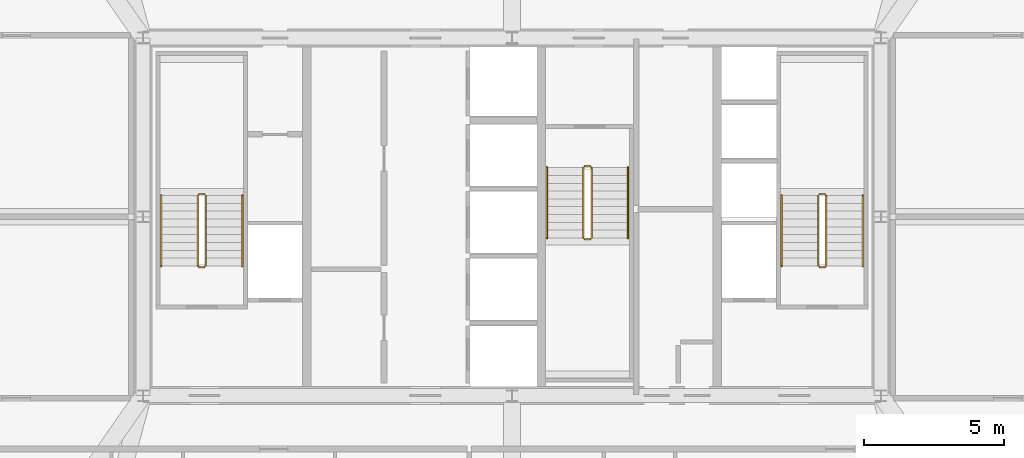
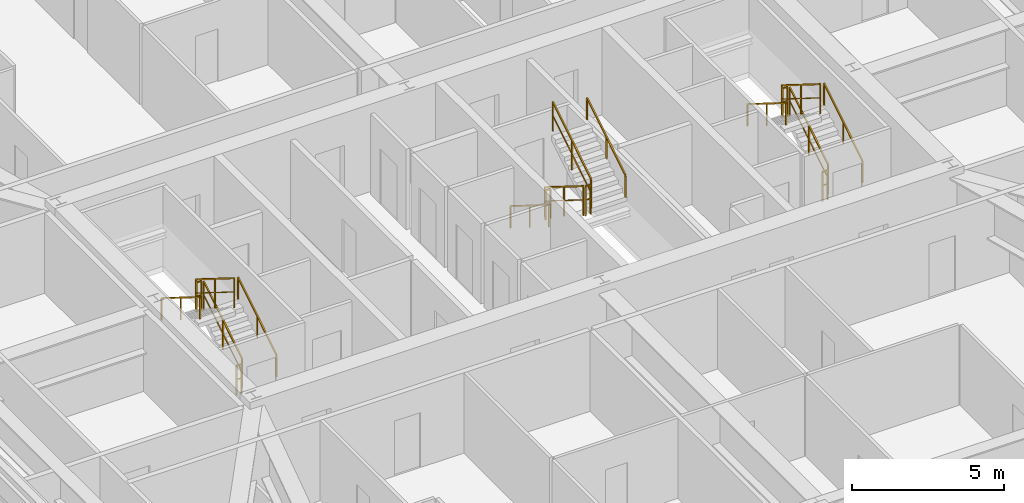
# One storey, part 39 of 39: 18 railings.
"""IFC4 building model written with IfcOpenShell, lengths in metres."""

import ifcopenshell
import ifcopenshell.guid

model = None  # the IFC model being written
_history = None  # IfcOwnerHistory: only IFC2X3 demands one
_inside = {}  # id of a spatial element -> (the spatial element, [elements in it])
_under = {}  # id of a project, library or spatial element -> (it, [spatial elements below it])
_declared = {}  # id of a project -> (the project, [libraries it declares])
_typed = {}  # id of a type object -> (the type object, [elements of that type])
_made_of = {}  # id of a material, layer set ... -> (it, [elements and type objects made of it])


def new_model(schema):
    """Start an empty IFC model of exactly this schema.

    Asked for "IFC4X3", IfcOpenShell would pick the latest addendum, in which some entities
    have other attributes; the version numbers below select the first issue.
    IFC2X3 requires an IfcOwnerHistory on every rooted entity: one is made here for all.
    """
    global model, _history
    if schema == "IFC4X3":
        model = ifcopenshell.file(schema_version=(4, 3, 0, 0))
    else:
        model = ifcopenshell.file(schema=schema)
    _inside.clear()
    _under.clear()
    _declared.clear()
    _typed.clear()
    _made_of.clear()
    _history = None
    if model.schema == "IFC2X3":
        org = make("IfcOrganization", Name="unknown")
        user = make(
            "IfcPersonAndOrganization",
            ThePerson=make("IfcPerson", FamilyName="unknown"),
            TheOrganization=org,
        )
        app = make(
            "IfcApplication",
            ApplicationDeveloper=org,
            Version="unknown",
            ApplicationFullName="unknown",
            ApplicationIdentifier="unknown",
        )
        _history = make(
            "IfcOwnerHistory",
            OwningUser=user,
            OwningApplication=app,
            ChangeAction="ADDED",
            CreationDate=0,
        )
    return model


def make(cls, **values):
    """One entity of the class cls with the attributes given. An attribute that is None is left unset."""
    return model.create_entity(
        cls, **{name: value for name, value in values.items() if value is not None}
    )


def rooted(cls, **values):
    """An entity with a GlobalId (a new one), such as an element, a storey or a relation."""
    return make(cls, GlobalId=ifcopenshell.guid.new(), OwnerHistory=_history, **values)


def si_unit(unit_type, name, prefix=None):
    """IfcSIUnit, for example si_unit("LENGTHUNIT", "METRE", prefix="MILLI")."""
    return make("IfcSIUnit", UnitType=unit_type, Prefix=prefix, Name=name)


def assignment(units):
    """IfcUnitAssignment: the units of a project."""
    return None if units is None else make("IfcUnitAssignment", Units=units)


def point(xyz):
    """IfcCartesianPoint."""
    return None if xyz is None else make("IfcCartesianPoint", Coordinates=xyz)


def direction(xyz):
    """IfcDirection."""
    return None if xyz is None else make("IfcDirection", DirectionRatios=xyz)


def frame(location, z_axis=None, x_axis=None):
    """IfcAxis2Placement3D, a coordinate frame: its origin and axes. An axis left out is left unset."""
    return make(
        "IfcAxis2Placement3D",
        Location=point(location),
        Axis=direction(z_axis),
        RefDirection=direction(x_axis),
    )


def frame_2d(location, x_axis=None):
    """IfcAxis2Placement2D, a coordinate frame in the plane: its origin and x axis."""
    return make(
        "IfcAxis2Placement2D", Location=point(location), RefDirection=direction(x_axis)
    )


def origin():
    """The frame at (0, 0, 0) with its axes left unset."""
    return frame((0.0, 0.0, 0.0))


def origin_2d():
    """The frame at (0, 0) in the plane with its x axis left unset."""
    return frame_2d((0.0, 0.0))


def place(relative_to, where):
    """IfcLocalPlacement: puts the frame where relative to a parent placement (None: the world)."""
    return make(
        "IfcLocalPlacement", PlacementRelTo=relative_to, RelativePlacement=where
    )


def context(
    kind, dimensions, precision=None, world=None, true_north=None, identifier=None
):
    """IfcGeometricRepresentationContext, for example the 3D "Model" context."""
    return make(
        "IfcGeometricRepresentationContext",
        ContextIdentifier=identifier,
        ContextType=kind,
        CoordinateSpaceDimension=dimensions,
        Precision=precision,
        WorldCoordinateSystem=world,
        TrueNorth=true_north,
    )


def subcontext(parent, identifier, kind, view, scale=None):
    """IfcGeometricRepresentationSubContext, for example "Body" below "Model"."""
    return make(
        "IfcGeometricRepresentationSubContext",
        ContextIdentifier=identifier,
        ContextType=kind,
        ParentContext=parent,
        TargetScale=scale,
        TargetView=view,
    )


def project(units=None, contexts=None):
    """IfcProject with its units and contexts."""
    return rooted(
        "IfcProject",
        Name="project",
        RepresentationContexts=contexts,
        UnitsInContext=assignment(units),
    )


def spatial(cls, under=None, at=None, **own):
    """A site, building, storey or space (cls), placed at a placement, below another one or the project."""
    s = rooted(cls, ObjectPlacement=at, **own)
    if under is not None:
        _under.setdefault(under.id(), (under, []))[1].append(s)
    return s


def profile(cls, at=None, kind="AREA", **sizes):
    """A parametric profile (cls). Its sizes go by their IFC names, for example OverallWidth=200.0."""
    return make(cls, ProfileType=kind, Position=at, **sizes)


def rectangle(**sizes):
    """IfcRectangleProfileDef."""
    return profile("IfcRectangleProfileDef", **sizes)


def extrude(swept, where, along, depth):
    """IfcExtrudedAreaSolid: the profile swept, set in the frame where, extruded along a direction by depth."""
    return make(
        "IfcExtrudedAreaSolid",
        SweptArea=swept,
        Position=where,
        ExtrudedDirection=direction(along),
        Depth=depth,
    )


def shape(context_of_items, identifier, shape_type, items):
    """IfcShapeRepresentation: the items that make up one representation, for example the "Body"."""
    return make(
        "IfcShapeRepresentation",
        ContextOfItems=context_of_items,
        RepresentationIdentifier=identifier,
        RepresentationType=shape_type,
        Items=items,
    )


def source(mapping_origin, context_of_items, identifier, shape_type, items):
    """IfcRepresentationMap: a shape defined once, which mapped items show again and again."""
    return make(
        "IfcRepresentationMap",
        MappingOrigin=mapping_origin,
        MappedRepresentation=shape(context_of_items, identifier, shape_type, items),
    )


def transform(
    local_origin,
    x_axis=None,
    y_axis=None,
    z_axis=None,
    scale=None,
    scale2=None,
    scale3=None,
    uniform=True,
):
    """IfcCartesianTransformationOperator3D, or its non-uniform kind. x_axis, y_axis, z_axis: its Axis1, 2, 3."""
    if uniform:
        return make(
            "IfcCartesianTransformationOperator3D",
            Axis1=direction(x_axis),
            Axis2=direction(y_axis),
            LocalOrigin=point(local_origin),
            Scale=scale,
            Axis3=direction(z_axis),
        )
    return make(
        "IfcCartesianTransformationOperator3DnonUniform",
        Axis1=direction(x_axis),
        Axis2=direction(y_axis),
        LocalOrigin=point(local_origin),
        Scale=scale,
        Axis3=direction(z_axis),
        Scale2=scale2,
        Scale3=scale3,
    )


def mapped(mapping_source, mapping_target):
    """IfcMappedItem: shows the shape of a source again, moved by a transform."""
    return make(
        "IfcMappedItem", MappingSource=mapping_source, MappingTarget=mapping_target
    )


def material(Name=None, Category=None):
    """IfcMaterial."""
    return make("IfcMaterial", Name=Name, Category=Category)


def layer(
    of_material, thickness, ventilated=None, Name=None, Category=None, Priority=None
):
    """IfcMaterialLayer: one layer of a wall or slab, of a material (None: an air gap)."""
    return make(
        "IfcMaterialLayer",
        Material=of_material,
        LayerThickness=thickness,
        IsVentilated=ventilated,
        Name=Name,
        Category=Category,
        Priority=Priority,
    )


def layer_set(layers, Name=None):
    """IfcMaterialLayerSet."""
    return make("IfcMaterialLayerSet", MaterialLayers=layers, LayerSetName=Name)


def made_of(thing, what):
    """Note that an element or type object is made of a material, layer set ...; save() writes the relation."""
    if what is not None:
        _made_of.setdefault(what.id(), (what, []))[1].append(thing)
    return thing


def type_object(cls, material=None, **own):
    """A type object (cls), such as IfcWallType, which elements share."""
    return made_of(rooted(cls, **own), material)


def element(
    cls,
    number,
    at=None,
    inside=None,
    cuts=None,
    type_object=None,
    material=None,
    context=None,
    identifier="Body",
    shape_type=None,
    held_by="IfcProductDefinitionShape",
    body=None,
    shapes=None,
    **own,
):
    """One element of the class cls, such as IfcWall. Its Tag is "e" and its number.

    at: its placement. inside: the storey or other place that contains it. cuts: it is an
    opening in that element (IfcRelVoidsElement). A single representation is given by context,
    identifier, shape_type and body (its items); several are given by shapes. held_by: the class
    of the entity that holds the representations. save() writes the other relations.
    """
    e = rooted(cls, Tag="e%d" % number, ObjectPlacement=at, **own)
    if body is not None:
        shapes = [shape(context, identifier, shape_type, body)]
    if shapes is not None:
        e.Representation = make(held_by, Representations=shapes)
    if inside is not None:
        _inside.setdefault(inside.id(), (inside, []))[1].append(e)
    if cuts is not None:
        rooted(
            "IfcRelVoidsElement", RelatingBuildingElement=cuts, RelatedOpeningElement=e
        )
    if type_object is not None:
        _typed.setdefault(type_object.id(), (type_object, []))[1].append(e)
    return made_of(e, material)


def aggregate(whole, parts):
    """IfcRelAggregates: a whole, such as a stair, and the parts it consists of."""
    return rooted("IfcRelAggregates", RelatingObject=whole, RelatedObjects=parts)


def save(model, path):
    """Write the relations noted so far, then the file.

    IfcRelAggregates (storeys below a building ...), IfcRelContainedInSpatialStructure (elements
    in a storey), IfcRelDefinesByType, IfcRelAssociatesMaterial and IfcRelDeclares: one each for
    every whole, place, type object, material and project.
    """
    for whole, parts in _under.values():
        aggregate(whole, parts)
    for where, things in _inside.values():
        rooted(
            "IfcRelContainedInSpatialStructure",
            RelatedElements=things,
            RelatingStructure=where,
        )
    for kind, things in _typed.values():
        rooted("IfcRelDefinesByType", RelatedObjects=things, RelatingType=kind)
    for what, things in _made_of.values():
        rooted("IfcRelAssociatesMaterial", RelatedObjects=things, RelatingMaterial=what)
    for by, libraries in _declared.values():
        rooted("IfcRelDeclares", RelatingContext=by, RelatedDefinitions=libraries)
    model.write(path)


model = new_model("IFC4")

# Units and contexts
model_context = context("Model", 3, precision=1e-05, world=origin(), true_north=direction((0.0, 1.0)))
body_context = subcontext(model_context, "Body", "Model", "MODEL_VIEW")
ifc_project = project(units=[si_unit("LENGTHUNIT", "METRE"), si_unit("AREAUNIT", "SQUARE_METRE"), si_unit("VOLUMEUNIT", "CUBIC_METRE"), si_unit("PLANEANGLEUNIT", "RADIAN"), si_unit("MASSUNIT", "GRAM", prefix="KILO"), si_unit("THERMODYNAMICTEMPERATUREUNIT", "KELVIN"), si_unit("POWERUNIT", "WATT")], contexts=[model_context])

# Site, building, storey
site_placement = place(None, origin())
site = spatial("IfcSite", under=ifc_project, at=site_placement, CompositionType="ELEMENT")
building_placement = place(site_placement, origin())
building = spatial("IfcBuilding", under=site, at=building_placement, Name="Yuzanri Waterfront Tower", CompositionType="ELEMENT")
storey_placement = place(building_placement, frame((0.0, 0.0, 216.0)))
storey = spatial("IfcBuildingStorey", under=building, at=storey_placement, Name="L57", CompositionType="ELEMENT", Elevation=216.0)

# Railings
ifc_material_1 = material(Name="Painted Galvanized Fire Steel", Category="steel")
ifc_layer_1 = layer(ifc_material_1, 0.06005859375)
ifc_layer_set_1 = layer_set([ifc_layer_1], Name="Painted Galvanized Fire Steel")
railing_type_1 = type_object("IfcRailingType", Name="Painted Steel Stairwell Guardrail 1120", PredefinedType="GUARDRAIL", material=ifc_layer_set_1)
shared_shape_1 = source(origin(), body_context, "Body", "SweptSolid", [
    extrude(rectangle(XDim=0.050048828125, YDim=0.050048828125, at=origin_2d()), frame((0.0, 0.0, 1.1748046875), z_axis=(-1.0, 0.0, 0.0), x_axis=(0.0, -1.0, 0.0)), (0.0, 0.0, 1.0), 0.199951171875),
    extrude(rectangle(XDim=0.035888671875, YDim=0.030029296875, at=origin_2d()), frame((0.0, 0.0, 0.6240234375), z_axis=(-1.0, 0.0, 0.0), x_axis=(0.0, -1.0, 0.0)), (0.0, 0.0, 1.0), 0.199951171875),
    extrude(rectangle(XDim=0.0458984375, YDim=0.0458984375, at=origin_2d()), origin(), (0.0, 0.0, 1.0), 1.14990234375),
    extrude(rectangle(XDim=0.0458984375, YDim=0.0458984375, at=origin_2d()), frame((-0.199951171875, 0.0, 0.0)), (0.0, 0.0, 1.0), 1.14990234375),
])
for number, where, name in (
    (1, (26.0, 26.610107421875, 1.75), "L57 ST-01 stair guard 2"),
    (2, (26.0, 23.989990234375, 0.0), "L57 ST-01 stair guard 4"),
    (3, (48.199951171875, 26.610107421875, 1.75), "L57 ST-02 stair guard 2"),
    (4, (48.199951171875, 23.989990234375, 0.0), "L57 ST-02 stair guard 4"),
):
    element("IfcRailing", number, at=place(storey_placement, frame(where)), inside=storey, type_object=railing_type_1, Name=name, PredefinedType="GUARDRAIL", context=body_context, shape_type="MappedRepresentation", body=[
        mapped(shared_shape_1, transform((0.0, 0.0, 0.0), scale=1.0)),
    ])
shared_shape_2 = source(origin(), body_context, "Body", "SweptSolid", [
    extrude(rectangle(XDim=0.050048828125, YDim=0.050048828125, at=origin_2d()), frame((0.0, 0.0, 1.1748046875), z_axis=(0.0, 0.848007534815, 0.529984170421), x_axis=(-1.0, 0.0, 0.0)), (0.0, 0.0, 1.0), 2.9716796875),
    extrude(rectangle(XDim=0.035888671875, YDim=0.030029296875, at=origin_2d()), frame((0.0, 0.0, 0.6240234375), z_axis=(0.0, 0.848007534815, 0.529984170421), x_axis=(-1.0, 0.0, 0.0)), (0.0, 0.0, 1.0), 2.9716796875),
    extrude(rectangle(XDim=0.0458984375, YDim=0.0458984375, at=origin_2d()), origin(), (0.0, 0.0, 1.0), 1.14990234375),
    extrude(rectangle(XDim=0.0458984375, YDim=0.0458984375, at=origin_2d()), frame((0.0, 1.260009765625, 0.78759765625)), (0.0, 0.0, 1.0), 1.14990234375),
    extrude(rectangle(XDim=0.0458984375, YDim=0.0458984375, at=origin_2d()), frame((0.0, 2.52001953125, 1.574951171875)), (0.0, 0.0, 1.0), 1.14990234375),
])
for number, where, name in (
    (5, (26.050048828125, 24.0400390625, 0.175048828125), "L57 ST-01 stair guard 1"),
    (6, (48.25, 24.0400390625, 0.175048828125), "L57 ST-02 stair guard 1"),
    (7, (39.85009765625, 25.0400390625, 1.925048828125), "L57 ST-03 stair guard 3"),
):
    element("IfcRailing", number, at=place(storey_placement, frame(where)), inside=storey, type_object=railing_type_1, Name=name, PredefinedType="GUARDRAIL", context=body_context, shape_type="MappedRepresentation", body=[
        mapped(shared_shape_2, transform((0.0, 0.0, 0.0), scale=1.0)),
    ])
shared_shape_3 = source(origin(), body_context, "Body", "SweptSolid", [
    extrude(rectangle(XDim=0.050048828125, YDim=0.050048828125, at=origin_2d()), frame((0.0, 0.0, 1.1748046875), z_axis=(0.0, -0.848007534815, 0.529984170421), x_axis=(1.0, 0.0, 0.0)), (0.0, 0.0, 1.0), 2.9716796875),
    extrude(rectangle(XDim=0.035888671875, YDim=0.030029296875, at=origin_2d()), frame((0.0, 0.0, 0.6240234375), z_axis=(0.0, -0.848007534815, 0.529984170421), x_axis=(1.0, 0.0, 0.0)), (0.0, 0.0, 1.0), 2.9716796875),
    extrude(rectangle(XDim=0.0458984375, YDim=0.0458984375, at=origin_2d()), origin(), (0.0, 0.0, 1.0), 1.14990234375),
    extrude(rectangle(XDim=0.0458984375, YDim=0.0458984375, at=origin_2d()), frame((0.0, -1.260009765625, 0.78759765625)), (0.0, 0.0, 1.0), 1.14990234375),
    extrude(rectangle(XDim=0.0458984375, YDim=0.0458984375, at=origin_2d()), frame((0.0, -2.52001953125, 1.574951171875)), (0.0, 0.0, 1.0), 1.14990234375),
])
for number, where, name in (
    (8, (25.75, 26.56005859375, 1.925048828125), "L57 ST-01 stair guard 3"),
    (9, (47.949951171875, 26.56005859375, 1.925048828125), "L57 ST-02 stair guard 3"),
    (10, (39.550048828125, 27.56005859375, 0.175048828125), "L57 ST-03 stair guard 1"),
):
    element("IfcRailing", number, at=place(storey_placement, frame(where)), inside=storey, type_object=railing_type_1, Name=name, PredefinedType="GUARDRAIL", context=body_context, shape_type="MappedRepresentation", body=[
        mapped(shared_shape_3, transform((0.0, 0.0, 0.0), scale=1.0)),
    ])
ifc_material_2 = material(Name="Anodized Architectural Bronze", Category="metal")
ifc_layer_2 = layer(ifc_material_2, 0.050048828125)
ifc_layer_set_2 = layer_set([ifc_layer_2], Name="Anodized Architectural Bronze")
railing_type_2 = type_object("IfcRailingType", Name="Brushed Bronze Stair Pitch Handrail 920", PredefinedType="HANDRAIL", material=ifc_layer_set_2)
shared_shape_4 = source(origin(), body_context, "Body", "SweptSolid", [
    extrude(rectangle(XDim=0.050048828125, YDim=0.050048828125, at=origin_2d()), frame((0.0, 0.0, 0.875), z_axis=(0.0, 0.848007534815, 0.529984170421), x_axis=(-1.0, 0.0, 0.0)), (0.0, 0.0, 1.0), 2.9716796875),
    extrude(rectangle(XDim=0.0458984375, YDim=0.0458984375, at=origin_2d()), origin(), (0.0, 0.0, 1.0), 0.849853515625),
    extrude(rectangle(XDim=0.0458984375, YDim=0.0458984375, at=origin_2d()), frame((0.0, 1.260009765625, 0.78759765625)), (0.0, 0.0, 1.0), 0.849853515625),
    extrude(rectangle(XDim=0.0458984375, YDim=0.0458984375, at=origin_2d()), frame((0.0, 2.52001953125, 1.574951171875)), (0.0, 0.0, 1.0), 0.849853515625),
])
for number, where, name in (
    (11, (27.35009765625, 24.0400390625, 0.175048828125), "L57 ST-01 stair handrail 1"),
    (12, (49.550048828125, 24.0400390625, 0.175048828125), "L57 ST-02 stair handrail 1"),
    (13, (41.14990234375, 25.0400390625, 1.925048828125), "L57 ST-03 stair handrail 2"),
):
    element("IfcRailing", number, at=place(storey_placement, frame(where)), inside=storey, type_object=railing_type_2, Name=name, PredefinedType="HANDRAIL", context=body_context, shape_type="MappedRepresentation", body=[
        mapped(shared_shape_4, transform((0.0, 0.0, 0.0), scale=1.0)),
    ])
shared_shape_5 = source(origin(), body_context, "Body", "SweptSolid", [
    extrude(rectangle(XDim=0.050048828125, YDim=0.050048828125, at=origin_2d()), frame((0.0, 0.0, 0.875), z_axis=(0.0, -0.848007534815, 0.529984170421), x_axis=(1.0, 0.0, 0.0)), (0.0, 0.0, 1.0), 2.9716796875),
    extrude(rectangle(XDim=0.0458984375, YDim=0.0458984375, at=origin_2d()), origin(), (0.0, 0.0, 1.0), 0.849853515625),
    extrude(rectangle(XDim=0.0458984375, YDim=0.0458984375, at=origin_2d()), frame((0.0, -1.260009765625, 0.78759765625)), (0.0, 0.0, 1.0), 0.849853515625),
    extrude(rectangle(XDim=0.0458984375, YDim=0.0458984375, at=origin_2d()), frame((0.0, -2.52001953125, 1.574951171875)), (0.0, 0.0, 1.0), 0.849853515625),
])
for number, where, name in (
    (14, (24.449951171875, 26.56005859375, 1.925048828125), "L57 ST-01 stair handrail 2"),
    (15, (46.64990234375, 26.56005859375, 1.925048828125), "L57 ST-02 stair handrail 2"),
    (16, (38.25, 27.56005859375, 0.175048828125), "L57 ST-03 stair handrail 1"),
):
    element("IfcRailing", number, at=place(storey_placement, frame(where)), inside=storey, type_object=railing_type_2, Name=name, PredefinedType="HANDRAIL", context=body_context, shape_type="MappedRepresentation", body=[
        mapped(shared_shape_5, transform((0.0, 0.0, 0.0), scale=1.0)),
    ])
shared_shape_6 = source(origin(), body_context, "Body", "SweptSolid", [
    extrude(rectangle(XDim=0.050048828125, YDim=0.050048828125, at=origin_2d()), frame((0.0, 0.0, 1.1748046875), z_axis=(1.0, 0.0, 0.0), x_axis=(0.0, 1.0, 0.0)), (0.0, 0.0, 1.0), 0.199951171875),
    extrude(rectangle(XDim=0.035888671875, YDim=0.030029296875, at=origin_2d()), frame((0.0, 0.0, 0.6240234375), z_axis=(1.0, 0.0, 0.0), x_axis=(0.0, 1.0, 0.0)), (0.0, 0.0, 1.0), 0.199951171875),
    extrude(rectangle(XDim=0.0458984375, YDim=0.0458984375, at=origin_2d()), origin(), (0.0, 0.0, 1.0), 1.14990234375),
    extrude(rectangle(XDim=0.0458984375, YDim=0.0458984375, at=origin_2d()), frame((0.199951171875, 0.0, 0.0)), (0.0, 0.0, 1.0), 1.14990234375),
])
for number, where, name in (
    (17, (39.60009765625, 24.989990234375, 1.75), "L57 ST-03 stair guard 2"),
    (18, (39.60009765625, 27.610107421875, 0.0), "L57 ST-03 stair guard 4"),
):
    element("IfcRailing", number, at=place(storey_placement, frame(where)), inside=storey, type_object=railing_type_1, Name=name, PredefinedType="GUARDRAIL", context=body_context, shape_type="MappedRepresentation", body=[
        mapped(shared_shape_6, transform((0.0, 0.0, 0.0), scale=1.0)),
    ])

save(model, "model.ifc")
